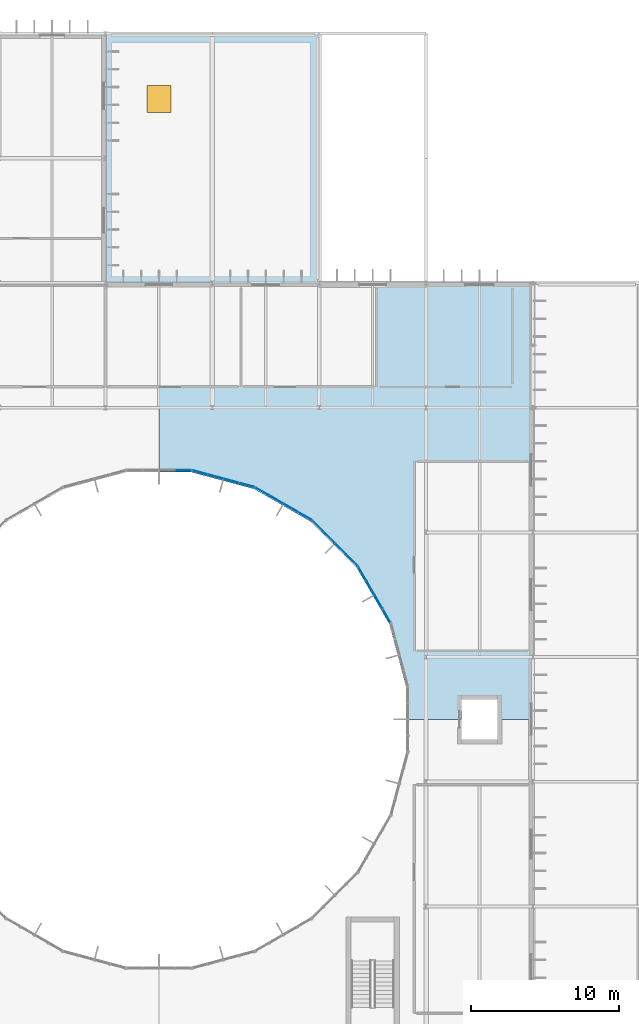
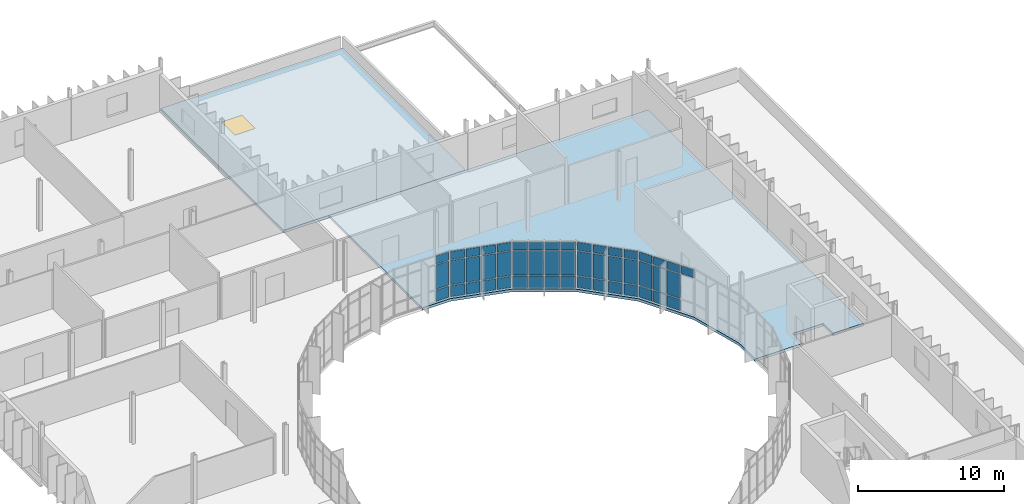
# One storey, part 68 of 99: 49 plates, 2 slabs, 1 window, 1 opening, 5 elements without a shape of their own.
"""IFC4 building model written with IfcOpenShell, lengths in metres."""

from ifc_helpers import new_model, si_unit, direction, frame, origin, origin_2d, place, context, subcontext, project, spatial, polyline, rectangle, outline, extrude, material, layer, layer_set, type_object, element, fill, aggregate, save


model = new_model("IFC4")

# Units and contexts
model_context = context("Model", 3, precision=1e-05, world=origin(), true_north=direction((0.0, 1.0)))
body_context = subcontext(model_context, "Body", "Model", "MODEL_VIEW")
ifc_project = project(units=[si_unit("LENGTHUNIT", "METRE"), si_unit("AREAUNIT", "SQUARE_METRE"), si_unit("VOLUMEUNIT", "CUBIC_METRE"), si_unit("PLANEANGLEUNIT", "RADIAN"), si_unit("MASSUNIT", "GRAM", prefix="KILO")], contexts=[model_context])

# Site, building, storey
site_placement = place(None, origin())
site = spatial("IfcSite", under=ifc_project, at=site_placement, CompositionType="ELEMENT")
building_placement = place(site_placement, origin())
building = spatial("IfcBuilding", under=site, at=building_placement, Name="Qelthora Terrace Specialist Clinic", CompositionType="ELEMENT")
storey_placement = place(building_placement, frame((0.0, 0.0, 9.0)))
storey = spatial("IfcBuildingStorey", under=building, at=storey_placement, Name="L02", CompositionType="ELEMENT", Elevation=9.0)

# Curtain wall, plates
ifc_material_1 = material(Name="Aluminium anodized bronze", Category="aluminium")
curtain_wall_type = type_object("IfcCurtainWallType", Name="CW-CRTE-UPP", PredefinedType="NOTDEFINED", material=ifc_material_1)
curtain_wall_1_placement = place(storey_placement, origin())
curtain_wall_1 = element("IfcCurtainWall", 1, at=curtain_wall_1_placement, inside=storey, type_object=curtain_wall_type, Name="Curtain wall CW-CE-L02-02", PredefinedType="NOTDEFINED")
ifc_material_2 = material(Name="Low-E triple-silver insulating glass", Category="glass")
ifc_layer_1 = layer(ifc_material_2, 0.035888671875)
ifc_layer_set_1 = layer_set([ifc_layer_1], Name="Low-E triple-silver insulating glass")
plate_type = type_object("IfcPlateType", Name="CWP-IGU-36", PredefinedType="CURTAIN_PANEL", material=ifc_layer_set_1)
plate_1_placement = place(storey_placement, frame((141.35107421875, 69.9638671875, 3.18994140625), z_axis=(0.0, 0.0, 1.0), x_axis=(-0.5, 0.866025403784, 0.0)))
plate_1 = element("IfcPlate", 2, at=plate_1_placement, type_object=plate_type, Name="CW-CE-L02-02 glazed panel 3", PredefinedType="CURTAIN_PANEL", context=body_context, shape_type="SweptSolid", body=[
    extrude(rectangle(XDim=0.996337890625, YDim=0.035888671875, at=origin_2d()), origin(), (0.0, 0.0, 1.0), 0.669921875),
])
plate_2_placement = place(storey_placement, frame((140.802734375, 70.913330078125, 0.0849609375), z_axis=(0.0, 0.0, 1.0), x_axis=(-0.5, 0.866025403784, 0.0)))
plate_2 = element("IfcPlate", 3, at=plate_2_placement, type_object=plate_type, Name="CW-CE-L02-02 glazed panel 4", PredefinedType="CURTAIN_PANEL", context=body_context, shape_type="SweptSolid", body=[
    extrude(rectangle(XDim=0.996337890625, YDim=0.035888671875, at=origin_2d()), origin(), (0.0, 0.0, 1.0), 0.919921875),
])
plate_3_placement = place(storey_placement, frame((140.802734375, 70.913330078125, 1.094970703125), z_axis=(0.0, 0.0, 1.0), x_axis=(-0.5, 0.866025403784, 0.0)))
plate_3 = element("IfcPlate", 4, at=plate_3_placement, type_object=plate_type, Name="CW-CE-L02-02 glazed panel 5", PredefinedType="CURTAIN_PANEL", context=body_context, shape_type="SweptSolid", body=[
    extrude(rectangle(XDim=0.996337890625, YDim=0.035888671875, at=origin_2d()), origin(), (0.0, 0.0, 1.0), 2.0048828125),
])
plate_4_placement = place(storey_placement, frame((140.802734375, 70.913330078125, 3.18994140625), z_axis=(0.0, 0.0, 1.0), x_axis=(-0.5, 0.866025403784, 0.0)))
plate_4 = element("IfcPlate", 5, at=plate_4_placement, type_object=plate_type, Name="CW-CE-L02-02 glazed panel 6", PredefinedType="CURTAIN_PANEL", context=body_context, shape_type="SweptSolid", body=[
    extrude(rectangle(XDim=0.996337890625, YDim=0.035888671875, at=origin_2d()), origin(), (0.0, 0.0, 1.0), 0.669921875),
])
plate_5_placement = place(storey_placement, frame((140.254638671875, 71.86279296875, 0.0849609375), z_axis=(0.0, 0.0, 1.0), x_axis=(-0.5, 0.866025403784, 0.0)))
plate_5 = element("IfcPlate", 6, at=plate_5_placement, type_object=plate_type, Name="CW-CE-L02-02 glazed panel 7", PredefinedType="CURTAIN_PANEL", context=body_context, shape_type="SweptSolid", body=[
    extrude(rectangle(XDim=0.996337890625, YDim=0.035888671875, at=origin_2d()), origin(), (0.0, 0.0, 1.0), 0.919921875),
])
plate_6_placement = place(storey_placement, frame((140.254638671875, 71.86279296875, 1.094970703125), z_axis=(0.0, 0.0, 1.0), x_axis=(-0.5, 0.866025403784, 0.0)))
plate_6 = element("IfcPlate", 7, at=plate_6_placement, type_object=plate_type, Name="CW-CE-L02-02 glazed panel 8", PredefinedType="CURTAIN_PANEL", context=body_context, shape_type="SweptSolid", body=[
    extrude(rectangle(XDim=0.996337890625, YDim=0.035888671875, at=origin_2d()), origin(), (0.0, 0.0, 1.0), 2.0048828125),
])
plate_7_placement = place(storey_placement, frame((140.254638671875, 71.86279296875, 3.18994140625), z_axis=(0.0, 0.0, 1.0), x_axis=(-0.5, 0.866025403784, 0.0)))
plate_7 = element("IfcPlate", 8, at=plate_7_placement, type_object=plate_type, Name="CW-CE-L02-02 glazed panel 9", PredefinedType="CURTAIN_PANEL", context=body_context, shape_type="SweptSolid", body=[
    extrude(rectangle(XDim=0.996337890625, YDim=0.035888671875, at=origin_2d()), origin(), (0.0, 0.0, 1.0), 0.669921875),
])
plate_8_placement = place(storey_placement, frame((139.706298828125, 72.8125, 0.0849609375), z_axis=(0.0, 0.0, 1.0), x_axis=(-0.5, 0.866025403784, 0.0)))
plate_8 = element("IfcPlate", 9, at=plate_8_placement, type_object=plate_type, Name="CW-CE-L02-02 glazed panel 10", PredefinedType="CURTAIN_PANEL", context=body_context, shape_type="SweptSolid", body=[
    extrude(rectangle(XDim=0.996337890625, YDim=0.035888671875, at=origin_2d()), origin(), (0.0, 0.0, 1.0), 0.919921875),
])
plate_9_placement = place(storey_placement, frame((139.706298828125, 72.8125, 1.094970703125), z_axis=(0.0, 0.0, 1.0), x_axis=(-0.5, 0.866025403784, 0.0)))
plate_9 = element("IfcPlate", 10, at=plate_9_placement, type_object=plate_type, Name="CW-CE-L02-02 glazed panel 11", PredefinedType="CURTAIN_PANEL", context=body_context, shape_type="SweptSolid", body=[
    extrude(rectangle(XDim=0.996337890625, YDim=0.035888671875, at=origin_2d()), origin(), (0.0, 0.0, 1.0), 2.0048828125),
])
plate_10_placement = place(storey_placement, frame((139.706298828125, 72.8125, 3.18994140625), z_axis=(0.0, 0.0, 1.0), x_axis=(-0.5, 0.866025403784, 0.0)))
plate_10 = element("IfcPlate", 11, at=plate_10_placement, type_object=plate_type, Name="CW-CE-L02-02 glazed panel 12", PredefinedType="CURTAIN_PANEL", context=body_context, shape_type="SweptSolid", body=[
    extrude(rectangle(XDim=0.996337890625, YDim=0.035888671875, at=origin_2d()), origin(), (0.0, 0.0, 1.0), 0.669921875),
])
aggregate(curtain_wall_1, [plate_1, plate_2, plate_3, plate_4, plate_5, plate_6, plate_7, plate_8, plate_9, plate_10])

curtain_wall_2_placement = place(storey_placement, origin())
curtain_wall_2 = element("IfcCurtainWall", 12, at=curtain_wall_2_placement, inside=storey, type_object=curtain_wall_type, Name="Curtain wall CW-CE-L02-03", PredefinedType="NOTDEFINED")
plate_11_placement = place(storey_placement, frame((139.025634765625, 73.69970703125, 0.0849609375), z_axis=(0.0, 0.0, 1.0), x_axis=(-0.707106781187, 0.707106781187, 0.0)))
plate_11 = element("IfcPlate", 13, at=plate_11_placement, type_object=plate_type, Name="CW-CE-L02-03 glazed panel 1", PredefinedType="CURTAIN_PANEL", context=body_context, shape_type="SweptSolid", body=[
    extrude(rectangle(XDim=0.996337890625, YDim=0.035888671875, at=origin_2d()), origin(), (0.0, 0.0, 1.0), 0.919921875),
])
plate_12_placement = place(storey_placement, frame((139.025634765625, 73.69970703125, 1.094970703125), z_axis=(0.0, 0.0, 1.0), x_axis=(-0.707106781187, 0.707106781187, 0.0)))
plate_12 = element("IfcPlate", 14, at=plate_12_placement, type_object=plate_type, Name="CW-CE-L02-03 glazed panel 2", PredefinedType="CURTAIN_PANEL", context=body_context, shape_type="SweptSolid", body=[
    extrude(rectangle(XDim=0.996337890625, YDim=0.035888671875, at=origin_2d()), origin(), (0.0, 0.0, 1.0), 2.0048828125),
])
plate_13_placement = place(storey_placement, frame((139.025634765625, 73.69970703125, 3.18994140625), z_axis=(0.0, 0.0, 1.0), x_axis=(-0.707106781187, 0.707106781187, 0.0)))
plate_13 = element("IfcPlate", 15, at=plate_13_placement, type_object=plate_type, Name="CW-CE-L02-03 glazed panel 3", PredefinedType="CURTAIN_PANEL", context=body_context, shape_type="SweptSolid", body=[
    extrude(rectangle(XDim=0.996337890625, YDim=0.035888671875, at=origin_2d()), origin(), (0.0, 0.0, 1.0), 0.669921875),
])
plate_14_placement = place(storey_placement, frame((138.250244140625, 74.474853515625, 0.0849609375), z_axis=(0.0, 0.0, 1.0), x_axis=(-0.707106781187, 0.707106781187, 0.0)))
plate_14 = element("IfcPlate", 16, at=plate_14_placement, type_object=plate_type, Name="CW-CE-L02-03 glazed panel 4", PredefinedType="CURTAIN_PANEL", context=body_context, shape_type="SweptSolid", body=[
    extrude(rectangle(XDim=0.996337890625, YDim=0.035888671875, at=origin_2d()), origin(), (0.0, 0.0, 1.0), 0.919921875),
])
plate_15_placement = place(storey_placement, frame((138.250244140625, 74.474853515625, 1.094970703125), z_axis=(0.0, 0.0, 1.0), x_axis=(-0.707106781187, 0.707106781187, 0.0)))
plate_15 = element("IfcPlate", 17, at=plate_15_placement, type_object=plate_type, Name="CW-CE-L02-03 glazed panel 5", PredefinedType="CURTAIN_PANEL", context=body_context, shape_type="SweptSolid", body=[
    extrude(rectangle(XDim=0.996337890625, YDim=0.035888671875, at=origin_2d()), origin(), (0.0, 0.0, 1.0), 2.0048828125),
])
plate_16_placement = place(storey_placement, frame((138.250244140625, 74.474853515625, 3.18994140625), z_axis=(0.0, 0.0, 1.0), x_axis=(-0.707106781187, 0.707106781187, 0.0)))
plate_16 = element("IfcPlate", 18, at=plate_16_placement, type_object=plate_type, Name="CW-CE-L02-03 glazed panel 6", PredefinedType="CURTAIN_PANEL", context=body_context, shape_type="SweptSolid", body=[
    extrude(rectangle(XDim=0.996337890625, YDim=0.035888671875, at=origin_2d()), origin(), (0.0, 0.0, 1.0), 0.669921875),
])
plate_17_placement = place(storey_placement, frame((137.474853515625, 75.250244140625, 0.0849609375), z_axis=(0.0, 0.0, 1.0), x_axis=(-0.707106781187, 0.707106781187, 0.0)))
plate_17 = element("IfcPlate", 19, at=plate_17_placement, type_object=plate_type, Name="CW-CE-L02-03 glazed panel 7", PredefinedType="CURTAIN_PANEL", context=body_context, shape_type="SweptSolid", body=[
    extrude(rectangle(XDim=0.996337890625, YDim=0.035888671875, at=origin_2d()), origin(), (0.0, 0.0, 1.0), 0.919921875),
])
plate_18_placement = place(storey_placement, frame((137.474853515625, 75.250244140625, 1.094970703125), z_axis=(0.0, 0.0, 1.0), x_axis=(-0.707106781187, 0.707106781187, 0.0)))
plate_18 = element("IfcPlate", 20, at=plate_18_placement, type_object=plate_type, Name="CW-CE-L02-03 glazed panel 8", PredefinedType="CURTAIN_PANEL", context=body_context, shape_type="SweptSolid", body=[
    extrude(rectangle(XDim=0.996337890625, YDim=0.035888671875, at=origin_2d()), origin(), (0.0, 0.0, 1.0), 2.0048828125),
])
plate_19_placement = place(storey_placement, frame((137.474853515625, 75.250244140625, 3.18994140625), z_axis=(0.0, 0.0, 1.0), x_axis=(-0.707106781187, 0.707106781187, 0.0)))
plate_19 = element("IfcPlate", 21, at=plate_19_placement, type_object=plate_type, Name="CW-CE-L02-03 glazed panel 9", PredefinedType="CURTAIN_PANEL", context=body_context, shape_type="SweptSolid", body=[
    extrude(rectangle(XDim=0.996337890625, YDim=0.035888671875, at=origin_2d()), origin(), (0.0, 0.0, 1.0), 0.669921875),
])
plate_20_placement = place(storey_placement, frame((136.69970703125, 76.025634765625, 0.0849609375), z_axis=(0.0, 0.0, 1.0), x_axis=(-0.707106781187, 0.707106781187, 0.0)))
plate_20 = element("IfcPlate", 22, at=plate_20_placement, type_object=plate_type, Name="CW-CE-L02-03 glazed panel 10", PredefinedType="CURTAIN_PANEL", context=body_context, shape_type="SweptSolid", body=[
    extrude(rectangle(XDim=0.996337890625, YDim=0.035888671875, at=origin_2d()), origin(), (0.0, 0.0, 1.0), 0.919921875),
])
plate_21_placement = place(storey_placement, frame((136.69970703125, 76.025634765625, 1.094970703125), z_axis=(0.0, 0.0, 1.0), x_axis=(-0.707106781187, 0.707106781187, 0.0)))
plate_21 = element("IfcPlate", 23, at=plate_21_placement, type_object=plate_type, Name="CW-CE-L02-03 glazed panel 11", PredefinedType="CURTAIN_PANEL", context=body_context, shape_type="SweptSolid", body=[
    extrude(rectangle(XDim=0.996337890625, YDim=0.035888671875, at=origin_2d()), origin(), (0.0, 0.0, 1.0), 2.0048828125),
])
plate_22_placement = place(storey_placement, frame((136.69970703125, 76.025634765625, 3.18994140625), z_axis=(0.0, 0.0, 1.0), x_axis=(-0.707106781187, 0.707106781187, 0.0)))
plate_22 = element("IfcPlate", 24, at=plate_22_placement, type_object=plate_type, Name="CW-CE-L02-03 glazed panel 12", PredefinedType="CURTAIN_PANEL", context=body_context, shape_type="SweptSolid", body=[
    extrude(rectangle(XDim=0.996337890625, YDim=0.035888671875, at=origin_2d()), origin(), (0.0, 0.0, 1.0), 0.669921875),
])
aggregate(curtain_wall_2, [plate_11, plate_12, plate_13, plate_14, plate_15, plate_16, plate_17, plate_18, plate_19, plate_20, plate_21, plate_22])

curtain_wall_3_placement = place(storey_placement, origin())
curtain_wall_3 = element("IfcCurtainWall", 25, at=curtain_wall_3_placement, inside=storey, type_object=curtain_wall_type, Name="Curtain wall CW-CE-L02-04", PredefinedType="NOTDEFINED")
plate_23_placement = place(storey_placement, frame((135.8125, 76.706298828125, 0.0849609375), z_axis=(0.0, 0.0, 1.0), x_axis=(-0.866025403784, 0.5, 0.0)))
plate_23 = element("IfcPlate", 26, at=plate_23_placement, type_object=plate_type, Name="CW-CE-L02-04 glazed panel 1", PredefinedType="CURTAIN_PANEL", context=body_context, shape_type="SweptSolid", body=[
    extrude(rectangle(XDim=0.996337890625, YDim=0.035888671875, at=origin_2d()), origin(), (0.0, 0.0, 1.0), 0.919921875),
])
plate_24_placement = place(storey_placement, frame((135.8125, 76.706298828125, 1.094970703125), z_axis=(0.0, 0.0, 1.0), x_axis=(-0.866025403784, 0.5, 0.0)))
plate_24 = element("IfcPlate", 27, at=plate_24_placement, type_object=plate_type, Name="CW-CE-L02-04 glazed panel 2", PredefinedType="CURTAIN_PANEL", context=body_context, shape_type="SweptSolid", body=[
    extrude(rectangle(XDim=0.996337890625, YDim=0.035888671875, at=origin_2d()), origin(), (0.0, 0.0, 1.0), 2.0048828125),
])
plate_25_placement = place(storey_placement, frame((135.8125, 76.706298828125, 3.18994140625), z_axis=(0.0, 0.0, 1.0), x_axis=(-0.866025403784, 0.5, 0.0)))
plate_25 = element("IfcPlate", 28, at=plate_25_placement, type_object=plate_type, Name="CW-CE-L02-04 glazed panel 3", PredefinedType="CURTAIN_PANEL", context=body_context, shape_type="SweptSolid", body=[
    extrude(rectangle(XDim=0.996337890625, YDim=0.035888671875, at=origin_2d()), origin(), (0.0, 0.0, 1.0), 0.669921875),
])
plate_26_placement = place(storey_placement, frame((134.86279296875, 77.254638671875, 0.0849609375), z_axis=(0.0, 0.0, 1.0), x_axis=(-0.866025403784, 0.5, 0.0)))
plate_26 = element("IfcPlate", 29, at=plate_26_placement, type_object=plate_type, Name="CW-CE-L02-04 glazed panel 4", PredefinedType="CURTAIN_PANEL", context=body_context, shape_type="SweptSolid", body=[
    extrude(rectangle(XDim=0.996337890625, YDim=0.035888671875, at=origin_2d()), origin(), (0.0, 0.0, 1.0), 0.919921875),
])
plate_27_placement = place(storey_placement, frame((134.86279296875, 77.254638671875, 1.094970703125), z_axis=(0.0, 0.0, 1.0), x_axis=(-0.866025403784, 0.5, 0.0)))
plate_27 = element("IfcPlate", 30, at=plate_27_placement, type_object=plate_type, Name="CW-CE-L02-04 glazed panel 5", PredefinedType="CURTAIN_PANEL", context=body_context, shape_type="SweptSolid", body=[
    extrude(rectangle(XDim=0.996337890625, YDim=0.035888671875, at=origin_2d()), origin(), (0.0, 0.0, 1.0), 2.0048828125),
])
plate_28_placement = place(storey_placement, frame((134.86279296875, 77.254638671875, 3.18994140625), z_axis=(0.0, 0.0, 1.0), x_axis=(-0.866025403784, 0.5, 0.0)))
plate_28 = element("IfcPlate", 31, at=plate_28_placement, type_object=plate_type, Name="CW-CE-L02-04 glazed panel 6", PredefinedType="CURTAIN_PANEL", context=body_context, shape_type="SweptSolid", body=[
    extrude(rectangle(XDim=0.996337890625, YDim=0.035888671875, at=origin_2d()), origin(), (0.0, 0.0, 1.0), 0.669921875),
])
plate_29_placement = place(storey_placement, frame((133.913330078125, 77.802734375, 0.0849609375), z_axis=(0.0, 0.0, 1.0), x_axis=(-0.866025403784, 0.5, 0.0)))
plate_29 = element("IfcPlate", 32, at=plate_29_placement, type_object=plate_type, Name="CW-CE-L02-04 glazed panel 7", PredefinedType="CURTAIN_PANEL", context=body_context, shape_type="SweptSolid", body=[
    extrude(rectangle(XDim=0.996337890625, YDim=0.035888671875, at=origin_2d()), origin(), (0.0, 0.0, 1.0), 0.919921875),
])
plate_30_placement = place(storey_placement, frame((133.913330078125, 77.802734375, 1.094970703125), z_axis=(0.0, 0.0, 1.0), x_axis=(-0.866025403784, 0.5, 0.0)))
plate_30 = element("IfcPlate", 33, at=plate_30_placement, type_object=plate_type, Name="CW-CE-L02-04 glazed panel 8", PredefinedType="CURTAIN_PANEL", context=body_context, shape_type="SweptSolid", body=[
    extrude(rectangle(XDim=0.996337890625, YDim=0.035888671875, at=origin_2d()), origin(), (0.0, 0.0, 1.0), 2.0048828125),
])
plate_31_placement = place(storey_placement, frame((133.913330078125, 77.802734375, 3.18994140625), z_axis=(0.0, 0.0, 1.0), x_axis=(-0.866025403784, 0.5, 0.0)))
plate_31 = element("IfcPlate", 34, at=plate_31_placement, type_object=plate_type, Name="CW-CE-L02-04 glazed panel 9", PredefinedType="CURTAIN_PANEL", context=body_context, shape_type="SweptSolid", body=[
    extrude(rectangle(XDim=0.996337890625, YDim=0.035888671875, at=origin_2d()), origin(), (0.0, 0.0, 1.0), 0.669921875),
])
plate_32_placement = place(storey_placement, frame((132.9638671875, 78.35107421875, 0.0849609375), z_axis=(0.0, 0.0, 1.0), x_axis=(-0.866025403784, 0.5, 0.0)))
plate_32 = element("IfcPlate", 35, at=plate_32_placement, type_object=plate_type, Name="CW-CE-L02-04 glazed panel 10", PredefinedType="CURTAIN_PANEL", context=body_context, shape_type="SweptSolid", body=[
    extrude(rectangle(XDim=0.996337890625, YDim=0.035888671875, at=origin_2d()), origin(), (0.0, 0.0, 1.0), 0.919921875),
])
plate_33_placement = place(storey_placement, frame((132.9638671875, 78.35107421875, 1.094970703125), z_axis=(0.0, 0.0, 1.0), x_axis=(-0.866025403784, 0.5, 0.0)))
plate_33 = element("IfcPlate", 36, at=plate_33_placement, type_object=plate_type, Name="CW-CE-L02-04 glazed panel 11", PredefinedType="CURTAIN_PANEL", context=body_context, shape_type="SweptSolid", body=[
    extrude(rectangle(XDim=0.996337890625, YDim=0.035888671875, at=origin_2d()), origin(), (0.0, 0.0, 1.0), 2.0048828125),
])
plate_34_placement = place(storey_placement, frame((132.9638671875, 78.35107421875, 3.18994140625), z_axis=(0.0, 0.0, 1.0), x_axis=(-0.866025403784, 0.5, 0.0)))
plate_34 = element("IfcPlate", 37, at=plate_34_placement, type_object=plate_type, Name="CW-CE-L02-04 glazed panel 12", PredefinedType="CURTAIN_PANEL", context=body_context, shape_type="SweptSolid", body=[
    extrude(rectangle(XDim=0.996337890625, YDim=0.035888671875, at=origin_2d()), origin(), (0.0, 0.0, 1.0), 0.669921875),
])
aggregate(curtain_wall_3, [plate_23, plate_24, plate_25, plate_26, plate_27, plate_28, plate_29, plate_30, plate_31, plate_32, plate_33, plate_34])

curtain_wall_4_placement = place(storey_placement, origin())
curtain_wall_4 = element("IfcCurtainWall", 38, at=curtain_wall_4_placement, inside=storey, type_object=curtain_wall_type, Name="Curtain wall CW-CE-L02-05", PredefinedType="NOTDEFINED")
plate_35_placement = place(storey_placement, frame((131.9306640625, 78.779052734375, 0.0849609375), z_axis=(0.0, 0.0, 1.0), x_axis=(-0.965925826289, 0.258819045103, 0.0)))
plate_35 = element("IfcPlate", 39, at=plate_35_placement, type_object=plate_type, Name="CW-CE-L02-05 glazed panel 1", PredefinedType="CURTAIN_PANEL", context=body_context, shape_type="SweptSolid", body=[
    extrude(rectangle(XDim=0.996337890625, YDim=0.035888671875, at=origin_2d()), origin(), (0.0, 0.0, 1.0), 0.919921875),
])
plate_36_placement = place(storey_placement, frame((131.9306640625, 78.779052734375, 1.094970703125), z_axis=(0.0, 0.0, 1.0), x_axis=(-0.965925826289, 0.258819045103, 0.0)))
plate_36 = element("IfcPlate", 40, at=plate_36_placement, type_object=plate_type, Name="CW-CE-L02-05 glazed panel 2", PredefinedType="CURTAIN_PANEL", context=body_context, shape_type="SweptSolid", body=[
    extrude(rectangle(XDim=0.996337890625, YDim=0.035888671875, at=origin_2d()), origin(), (0.0, 0.0, 1.0), 2.0048828125),
])
plate_37_placement = place(storey_placement, frame((131.9306640625, 78.779052734375, 3.18994140625), z_axis=(0.0, 0.0, 1.0), x_axis=(-0.965925826289, 0.258819045103, 0.0)))
plate_37 = element("IfcPlate", 41, at=plate_37_placement, type_object=plate_type, Name="CW-CE-L02-05 glazed panel 3", PredefinedType="CURTAIN_PANEL", context=body_context, shape_type="SweptSolid", body=[
    extrude(rectangle(XDim=0.996337890625, YDim=0.035888671875, at=origin_2d()), origin(), (0.0, 0.0, 1.0), 0.669921875),
])
plate_38_placement = place(storey_placement, frame((130.87158203125, 79.062744140625, 0.0849609375), z_axis=(0.0, 0.0, 1.0), x_axis=(-0.965925826289, 0.258819045103, 0.0)))
plate_38 = element("IfcPlate", 42, at=plate_38_placement, type_object=plate_type, Name="CW-CE-L02-05 glazed panel 4", PredefinedType="CURTAIN_PANEL", context=body_context, shape_type="SweptSolid", body=[
    extrude(rectangle(XDim=0.996337890625, YDim=0.035888671875, at=origin_2d()), origin(), (0.0, 0.0, 1.0), 0.919921875),
])
plate_39_placement = place(storey_placement, frame((130.87158203125, 79.062744140625, 1.094970703125), z_axis=(0.0, 0.0, 1.0), x_axis=(-0.965925826289, 0.258819045103, 0.0)))
plate_39 = element("IfcPlate", 43, at=plate_39_placement, type_object=plate_type, Name="CW-CE-L02-05 glazed panel 5", PredefinedType="CURTAIN_PANEL", context=body_context, shape_type="SweptSolid", body=[
    extrude(rectangle(XDim=0.996337890625, YDim=0.035888671875, at=origin_2d()), origin(), (0.0, 0.0, 1.0), 2.0048828125),
])
plate_40_placement = place(storey_placement, frame((130.87158203125, 79.062744140625, 3.18994140625), z_axis=(0.0, 0.0, 1.0), x_axis=(-0.965925826289, 0.258819045103, 0.0)))
plate_40 = element("IfcPlate", 44, at=plate_40_placement, type_object=plate_type, Name="CW-CE-L02-05 glazed panel 6", PredefinedType="CURTAIN_PANEL", context=body_context, shape_type="SweptSolid", body=[
    extrude(rectangle(XDim=0.996337890625, YDim=0.035888671875, at=origin_2d()), origin(), (0.0, 0.0, 1.0), 0.669921875),
])
plate_41_placement = place(storey_placement, frame((129.8125, 79.346435546875, 0.0849609375), z_axis=(0.0, 0.0, 1.0), x_axis=(-0.965925826289, 0.258819045103, 0.0)))
plate_41 = element("IfcPlate", 45, at=plate_41_placement, type_object=plate_type, Name="CW-CE-L02-05 glazed panel 7", PredefinedType="CURTAIN_PANEL", context=body_context, shape_type="SweptSolid", body=[
    extrude(rectangle(XDim=0.996337890625, YDim=0.035888671875, at=origin_2d()), origin(), (0.0, 0.0, 1.0), 0.919921875),
])
plate_42_placement = place(storey_placement, frame((129.8125, 79.346435546875, 1.094970703125), z_axis=(0.0, 0.0, 1.0), x_axis=(-0.965925826289, 0.258819045103, 0.0)))
plate_42 = element("IfcPlate", 46, at=plate_42_placement, type_object=plate_type, Name="CW-CE-L02-05 glazed panel 8", PredefinedType="CURTAIN_PANEL", context=body_context, shape_type="SweptSolid", body=[
    extrude(rectangle(XDim=0.996337890625, YDim=0.035888671875, at=origin_2d()), origin(), (0.0, 0.0, 1.0), 2.0048828125),
])
plate_43_placement = place(storey_placement, frame((129.8125, 79.346435546875, 3.18994140625), z_axis=(0.0, 0.0, 1.0), x_axis=(-0.965925826289, 0.258819045103, 0.0)))
plate_43 = element("IfcPlate", 47, at=plate_43_placement, type_object=plate_type, Name="CW-CE-L02-05 glazed panel 9", PredefinedType="CURTAIN_PANEL", context=body_context, shape_type="SweptSolid", body=[
    extrude(rectangle(XDim=0.996337890625, YDim=0.035888671875, at=origin_2d()), origin(), (0.0, 0.0, 1.0), 0.669921875),
])
plate_44_placement = place(storey_placement, frame((128.75341796875, 79.63037109375, 0.0849609375), z_axis=(0.0, 0.0, 1.0), x_axis=(-0.965925826289, 0.258819045103, 0.0)))
plate_44 = element("IfcPlate", 48, at=plate_44_placement, type_object=plate_type, Name="CW-CE-L02-05 glazed panel 10", PredefinedType="CURTAIN_PANEL", context=body_context, shape_type="SweptSolid", body=[
    extrude(rectangle(XDim=0.996337890625, YDim=0.035888671875, at=origin_2d()), origin(), (0.0, 0.0, 1.0), 0.919921875),
])
plate_45_placement = place(storey_placement, frame((128.75341796875, 79.63037109375, 1.094970703125), z_axis=(0.0, 0.0, 1.0), x_axis=(-0.965925826289, 0.258819045103, 0.0)))
plate_45 = element("IfcPlate", 49, at=plate_45_placement, type_object=plate_type, Name="CW-CE-L02-05 glazed panel 11", PredefinedType="CURTAIN_PANEL", context=body_context, shape_type="SweptSolid", body=[
    extrude(rectangle(XDim=0.996337890625, YDim=0.035888671875, at=origin_2d()), origin(), (0.0, 0.0, 1.0), 2.0048828125),
])
plate_46_placement = place(storey_placement, frame((128.75341796875, 79.63037109375, 3.18994140625), z_axis=(0.0, 0.0, 1.0), x_axis=(-0.965925826289, 0.258819045103, 0.0)))
plate_46 = element("IfcPlate", 50, at=plate_46_placement, type_object=plate_type, Name="CW-CE-L02-05 glazed panel 12", PredefinedType="CURTAIN_PANEL", context=body_context, shape_type="SweptSolid", body=[
    extrude(rectangle(XDim=0.996337890625, YDim=0.035888671875, at=origin_2d()), origin(), (0.0, 0.0, 1.0), 0.669921875),
])
aggregate(curtain_wall_4, [plate_35, plate_36, plate_37, plate_38, plate_39, plate_40, plate_41, plate_42, plate_43, plate_44, plate_45, plate_46])

curtain_wall_5_placement = place(storey_placement, origin())
curtain_wall_5 = element("IfcCurtainWall", 51, at=curtain_wall_5_placement, inside=storey, type_object=curtain_wall_type, Name="Curtain wall CW-CE-L02-06", PredefinedType="NOTDEFINED")
plate_47_placement = place(storey_placement, frame((127.64453125, 79.7763671875, 0.0849609375), z_axis=(0.0, 0.0, 1.0), x_axis=(-1.0, 0.0, 0.0)))
plate_47 = element("IfcPlate", 52, at=plate_47_placement, type_object=plate_type, Name="CW-CE-L02-06 glazed panel 1", PredefinedType="CURTAIN_PANEL", context=body_context, shape_type="SweptSolid", body=[
    extrude(rectangle(XDim=0.996337890625, YDim=0.035888671875, at=origin_2d()), origin(), (0.0, 0.0, 1.0), 0.919921875),
])
plate_48_placement = place(storey_placement, frame((127.64453125, 79.7763671875, 1.094970703125), z_axis=(0.0, 0.0, 1.0), x_axis=(-1.0, 0.0, 0.0)))
plate_48 = element("IfcPlate", 53, at=plate_48_placement, type_object=plate_type, Name="CW-CE-L02-06 glazed panel 2", PredefinedType="CURTAIN_PANEL", context=body_context, shape_type="SweptSolid", body=[
    extrude(rectangle(XDim=0.996337890625, YDim=0.035888671875, at=origin_2d()), origin(), (0.0, 0.0, 1.0), 2.0048828125),
])
plate_49_placement = place(storey_placement, frame((127.64453125, 79.7763671875, 3.18994140625), z_axis=(0.0, 0.0, 1.0), x_axis=(-1.0, 0.0, 0.0)))
plate_49 = element("IfcPlate", 54, at=plate_49_placement, type_object=plate_type, Name="CW-CE-L02-06 glazed panel 3", PredefinedType="CURTAIN_PANEL", context=body_context, shape_type="SweptSolid", body=[
    extrude(rectangle(XDim=0.996337890625, YDim=0.035888671875, at=origin_2d()), origin(), (0.0, 0.0, 1.0), 0.669921875),
])
aggregate(curtain_wall_5, [plate_47, plate_48, plate_49])

# Slab
ifc_material_3 = material(Name="Concrete C30/37", Category="concrete")
ifc_layer_2 = layer(ifc_material_3, 0.219970703125)
ifc_layer_set_2 = layer_set([ifc_layer_2], Name="Concrete C30/37")
slab_type_1 = type_object("IfcSlabType", Name="SLB-FLR-220-C30", PredefinedType="FLOOR", material=ifc_layer_set_2)
slab_1_placement = place(storey_placement, frame((0.0, 0.0, -0.219970703125)))
element("IfcSlab", 55, at=slab_1_placement, inside=storey, type_object=slab_type_1, Name="L02 V4 slab SLB-L02-V4-4A", PredefinedType="FLOOR", context=body_context, shape_type="SweptSolid", body=[
    extrude(outline(polyline([(151.199951171875, 92.39990234375), (151.199951171875, 63.0), (148.800048828125, 63.0), (148.800048828125, 64.35009765625), (146.39990234375, 64.35009765625), (146.39990234375, 63.0), (142.65625, 63.0), (142.65625, 65.19287109375), (141.521240234375, 69.42919921875), (139.328369140625, 73.227294921875), (136.227294921875, 76.328369140625), (132.42919921875, 78.521240234375), (128.19287109375, 79.65625), (126.0, 79.65625), (126.0, 92.39990234375), (151.199951171875, 92.39990234375)])), origin(), (0.0, 0.0, 1.0), 0.219970703125),
])

# Slab, opening, window
ifc_layer_3 = layer(ifc_material_3, 0.22509765625)
ifc_layer_set_3 = layer_set([ifc_layer_3], Name="Concrete C30/37")
slab_type_2 = type_object("IfcSlabType", Name="SLB-ROOF-170-ZINC", PredefinedType="ROOF", material=ifc_layer_set_3)
slab_2_placement = place(storey_placement, frame((0.0, 0.0, -0.22509765625)))
slab_2 = element("IfcSlab", 56, at=slab_2_placement, inside=storey, type_object=slab_type_2, Name="Stepped wing roof slab ROOF-V6-STP2-1", PredefinedType="ROOF", context=body_context, shape_type="SweptSolid", body=[
    extrude(outline(polyline([(136.800048828125, 109.199951171875), (136.800048828125, 92.39990234375), (122.39990234375, 92.39990234375), (122.39990234375, 109.199951171875), (136.800048828125, 109.199951171875)])), origin(), (0.0, 0.0, 1.0), 0.22509765625),
])
opening_placement = place(slab_2_placement, frame((126.0, 104.800048828125, 0.0)))
opening = element("IfcOpeningElement", 57, at=opening_placement, cuts=slab_2, Name="Opening SK-L02-04", PredefinedType="OPENING", context=body_context, shape_type="SweptSolid", body=[
    extrude(rectangle(XDim=1.60009765625, YDim=1.800048828125, at=origin_2d()), frame((0.0, 0.0, -0.010009765625)), (0.0, 0.0, 1.0), 0.2451171875),
])
window_type = type_object("IfcWindowType", Name="SKY-1600X1800", PartitioningType="SINGLE_PANEL", PredefinedType="SKYLIGHT", material=ifc_material_2)
window_placement = place(opening_placement, frame((0.0, 0.0, 0.175048828125)))
window = element("IfcWindow", 58, at=window_placement, inside=storey, type_object=window_type, Name="Roof skylight SK-L02-04", OverallHeight=1.800048828125, OverallWidth=1.60009765625, PartitioningType="SINGLE_PANEL", PredefinedType="SKYLIGHT", context=body_context, shape_type="SweptSolid", body=[
    extrude(rectangle(XDim=1.60009765625, YDim=1.800048828125, at=origin_2d()), origin(), (0.0, 0.0, 1.0), 0.050048828125),
])
fill(opening, window)

save(model, "model.ifc")
